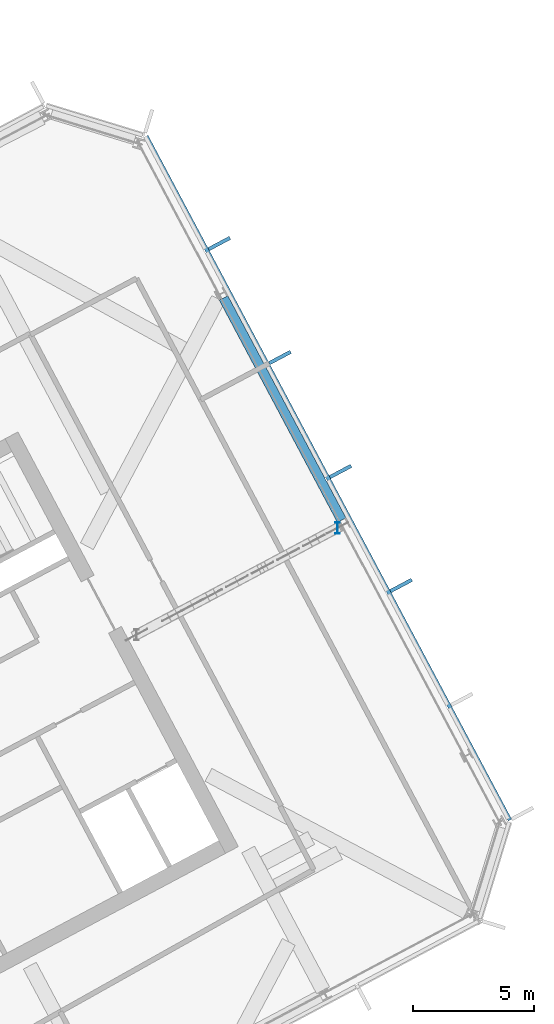
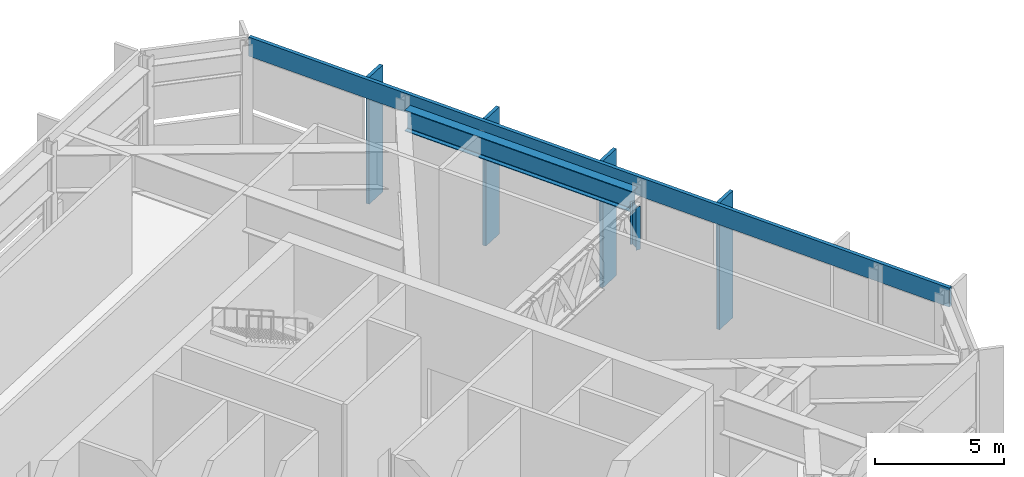
# One storey, part 12 of 33: 6 members, 1 beam, 1 element without a shape of its own.
"""IFC4 building model written with IfcOpenShell, lengths in metres."""

from ifc_helpers import new_model, si_unit, direction, frame, origin, origin_2d, place, context, subcontext, project, spatial, rectangle, i_section, extrude, material, layer, layer_set, material_profile, profile_set, type_object, element, aggregate, save


model = new_model("IFC4")

# Units and contexts
model_context = context("Model", 3, precision=1e-05, world=origin(), true_north=direction((0.0, 1.0)))
body_context = subcontext(model_context, "Body", "Model", "MODEL_VIEW")
ifc_project = project(units=[si_unit("LENGTHUNIT", "METRE"), si_unit("AREAUNIT", "SQUARE_METRE"), si_unit("VOLUMEUNIT", "CUBIC_METRE"), si_unit("PLANEANGLEUNIT", "RADIAN"), si_unit("MASSUNIT", "GRAM", prefix="KILO")], contexts=[model_context])

# Site, building, storey
site_placement = place(None, origin())
site = spatial("IfcSite", under=ifc_project, at=site_placement, CompositionType="ELEMENT")
building_placement = place(site_placement, origin())
building = spatial("IfcBuilding", under=site, at=building_placement, Name="Cormorant Relay Tower", CompositionType="ELEMENT")
storey_placement = place(building_placement, frame((0.0, 0.0, 252.0)))
storey = spatial("IfcBuildingStorey", under=building, at=storey_placement, Name="L56", CompositionType="ELEMENT", Elevation=252.0)

# Curtain wall, members
ifc_material_1 = material(Name="Aluminium 6063-T6 anodised bronze", Category="aluminium")
ifc_layer = layer(ifc_material_1, 0.199951171875)
ifc_layer_set = layer_set([ifc_layer], Name="CW4 band louvre wall")
curtain_wall_type = type_object("IfcCurtainWallType", Name="CW4 band louvre wall", PredefinedType="NOTDEFINED", material=ifc_layer_set)
curtain_wall_placement = place(storey_placement, origin())
curtain_wall = element("IfcCurtainWall", 1, at=curtain_wall_placement, inside=storey, type_object=curtain_wall_type, Name="CW4 curtain wall 6", PredefinedType="NOTDEFINED")
ifc_material_2 = material(Name="Aluminium 6063-T6 anodised bronze", Category="aluminium")
ifc_material_profile_1 = material_profile(ifc_material_2, rectangle(XDim=0.14990234375, YDim=1.0, at=origin_2d()), Name="AL 150x1000")
ifc_profile_set_1 = profile_set([ifc_material_profile_1], Name="Aluminium 6063-T6 anodised bronze")
member_type_1 = type_object("IfcMemberType", Name="CW4 bronze fin mullion 150 x 1000", PredefinedType="MULLION", material=ifc_profile_set_1)
member_1_placement = place(storey_placement, frame((44.564453125, 19.920166015625, 0.0), z_axis=(0.0, 0.0, 1.0), x_axis=(-0.469471562786, 0.882947592859, 0.0)))
member_1 = element("IfcMember", 2, at=member_1_placement, type_object=member_type_1, Name="CW4 fin 6.3", PredefinedType="MULLION", context=body_context, shape_type="SweptSolid", body=[
    extrude(rectangle(XDim=0.14990234375, YDim=1.0, at=origin_2d()), origin(), (0.0, 0.0, 1.0), 6.0),
])
member_2_placement = place(storey_placement, frame((42.060546875, 24.629150390625, 0.0), z_axis=(0.0, 0.0, 1.0), x_axis=(-0.469471562786, 0.882947592859, 0.0)))
member_2 = element("IfcMember", 3, at=member_2_placement, type_object=member_type_1, Name="CW4 fin 6.4", PredefinedType="MULLION", context=body_context, shape_type="SweptSolid", body=[
    extrude(rectangle(XDim=0.14990234375, YDim=1.0, at=origin_2d()), origin(), (0.0, 0.0, 1.0), 6.0),
])
member_3_placement = place(storey_placement, frame((39.556884765625, 29.338134765625, 0.0), z_axis=(0.0, 0.0, 1.0), x_axis=(-0.469471562786, 0.882947592859, 0.0)))
member_3 = element("IfcMember", 4, at=member_3_placement, type_object=member_type_1, Name="CW4 fin 6.5", PredefinedType="MULLION", context=body_context, shape_type="SweptSolid", body=[
    extrude(rectangle(XDim=0.14990234375, YDim=1.0, at=origin_2d()), origin(), (0.0, 0.0, 1.0), 6.0),
])
member_4_placement = place(storey_placement, frame((37.052978515625, 34.04736328125, 0.0), z_axis=(0.0, 0.0, 1.0), x_axis=(-0.469471562786, 0.882947592859, 0.0)))
member_4 = element("IfcMember", 5, at=member_4_placement, type_object=member_type_1, Name="CW4 fin 6.6", PredefinedType="MULLION", context=body_context, shape_type="SweptSolid", body=[
    extrude(rectangle(XDim=0.14990234375, YDim=1.0, at=origin_2d()), origin(), (0.0, 0.0, 1.0), 6.0),
])
ifc_material_3 = material(Name="Aluminium 6063-T6 anodised bronze", Category="aluminium")
ifc_material_profile_2 = material_profile(ifc_material_3, rectangle(XDim=0.159912109375, YDim=0.89990234375, at=origin_2d()), Name="AL 160x900")
ifc_profile_set_2 = profile_set([ifc_material_profile_2], Name="Aluminium 6063-T6 anodised bronze")
member_type_2 = type_object("IfcMemberType", Name="CW4 bronze transom 160 x 900", PredefinedType="USERDEFINED", material=ifc_profile_set_2)
member_5_placement = place(storey_placement, frame((49.06005859375, 10.229736328125, 5.550048828125), z_axis=(-0.46947036835, 0.882948227951, 0.0), x_axis=(-0.882948227951, -0.46947036835, 0.0)))
member_5 = element("IfcMember", 6, at=member_5_placement, type_object=member_type_2, Name="CW4 transom 6", ObjectType="TRANSOM", PredefinedType="USERDEFINED", context=body_context, shape_type="SweptSolid", body=[
    extrude(rectangle(XDim=0.159912109375, YDim=0.89990234375, at=origin_2d()), origin(), (0.0, 0.0, 1.0), 31.999755859375),
])
aggregate(curtain_wall, [member_1, member_2, member_3, member_4, member_5])

# Beam
ifc_material_4 = material(Name="Steel ASTM A992 (Fy 345 MPa)", Category="steel")
ifc_material_profile_3 = material_profile(ifc_material_4, i_section(OverallWidth=0.4013671875, OverallDepth=0.990478515625, WebThickness=0.0166015625, FlangeThickness=0.031005859375, FilletRadius=0.030029296875, at=origin_2d()), Name="W1000x320")
ifc_profile_set_3 = profile_set([ifc_material_profile_3], Name="Steel ASTM A992 (Fy 345 MPa)")
beam_type = type_object("IfcBeamType", Name="Spandrel W1000x320", PredefinedType="SPANDREL", material=ifc_profile_set_3)
beam_placement = place(storey_placement, frame((42.109619140625, 22.61865234375, 5.0546875), z_axis=(-0.469476269233, 0.882945090381, 0.0), x_axis=(-0.882945090381, -0.469476269233, 0.0)))
element("IfcBeam", 7, at=beam_placement, inside=storey, type_object=beam_type, Name="Spandrel beam L56-005", PredefinedType="SPANDREL", context=body_context, shape_type="SweptSolid", body=[
    extrude(i_section(OverallWidth=0.4013671875, OverallDepth=0.990478515625, WebThickness=0.0166015625, FlangeThickness=0.031005859375, FilletRadius=0.030029296875, at=origin_2d()), origin(), (0.0, 0.0, 1.0), 10.396484375),
])

# Member
ifc_material_5 = material(Name="Steel ASTM A992 (Fy 345 MPa)", Category="steel")
ifc_material_profile_4 = material_profile(ifc_material_5, i_section(OverallWidth=0.1904296875, OverallDepth=0.457275390625, WebThickness=0.009033203125, FlangeThickness=0.014404296875, FilletRadius=0.01025390625, at=origin_2d()), Name="W460x74")
ifc_profile_set_4 = profile_set([ifc_material_profile_4], Name="Steel ASTM A992 (Fy 345 MPa)")
member_type_3 = type_object("IfcMemberType", Name="Truss end post W460x74", PredefinedType="POST", material=ifc_profile_set_4)
member_6_placement = place(storey_placement, frame((41.9326171875, 22.2958984375, 3.084228515625), z_axis=(0.0, 0.0, 1.0), x_axis=(1.0, 0.0, 0.0)))
element("IfcMember", 8, at=member_6_placement, inside=storey, type_object=member_type_3, Name="Truss end post L56-06-10", PredefinedType="POST", context=body_context, shape_type="SweptSolid", body=[
    extrude(i_section(OverallWidth=0.1904296875, OverallDepth=0.457275390625, WebThickness=0.009033203125, FlangeThickness=0.014404296875, FilletRadius=0.01025390625, at=origin_2d()), origin(), (0.0, 0.0, 1.0), 2.031494140625),
])

save(model, "model.ifc")
